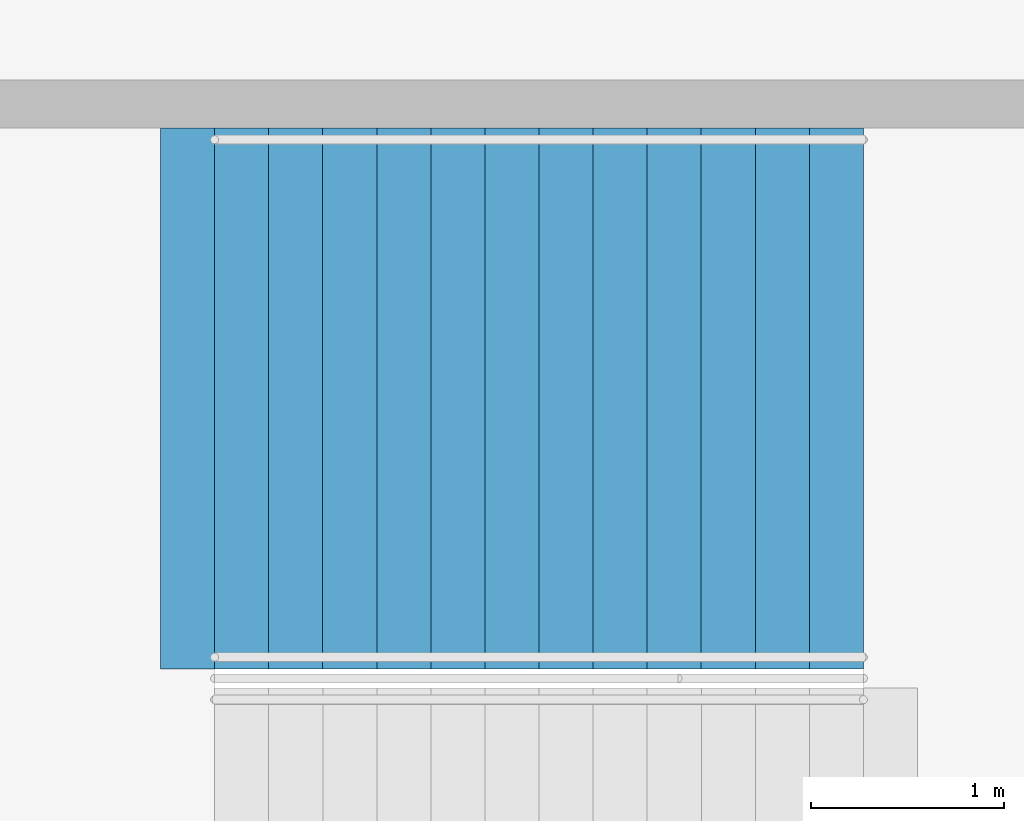
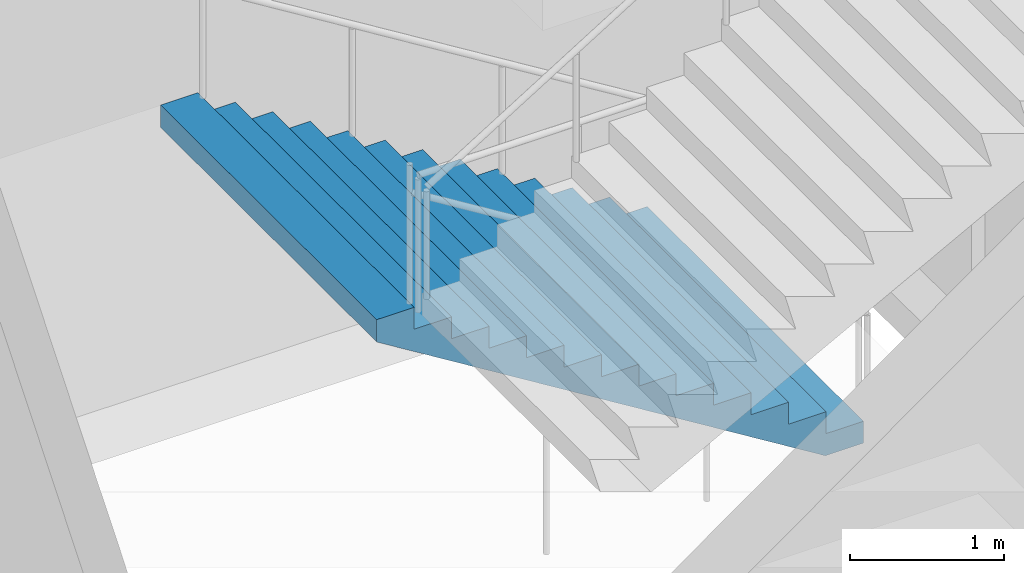
# One storey, part 133 of 199: 1 stair flight, 1 element without a shape of its own.
"""IFC4 building model written with IfcOpenShell, lengths in metres."""

from ifc_helpers import new_model, si_unit, direction, frame, origin, place, context, subcontext, project, spatial, faceted_brep, material, type_object, element, aggregate, save


model = new_model("IFC4")

# Units and contexts
model_context = context("Model", 3, precision=1e-05, world=origin(), true_north=direction((0.0, 1.0)))
body_context = subcontext(model_context, "Body", "Model", "MODEL_VIEW")
ifc_project = project(units=[si_unit("LENGTHUNIT", "METRE"), si_unit("AREAUNIT", "SQUARE_METRE"), si_unit("VOLUMEUNIT", "CUBIC_METRE"), si_unit("PLANEANGLEUNIT", "RADIAN"), si_unit("MASSUNIT", "GRAM", prefix="KILO")], contexts=[model_context])

# Site, building, storey
site_placement = place(None, origin())
site = spatial("IfcSite", under=ifc_project, at=site_placement, CompositionType="ELEMENT")
building_placement = place(site_placement, origin())
building = spatial("IfcBuilding", under=site, at=building_placement, Name="Ogive Plaza Stadium", CompositionType="ELEMENT")
storey_placement = place(building_placement, frame((0.0, 0.0, 4.5)))
storey = spatial("IfcBuildingStorey", under=building, at=storey_placement, Name="L01", CompositionType="ELEMENT", Elevation=4.5)

# Stair, stair flight
ifc_material_1 = material(Name="Concrete C40/50", Category="concrete")
stair_type = type_object("IfcStairType", Name="Exit stair", PredefinedType="STRAIGHT_RUN_STAIR", material=ifc_material_1)
stair_placement = place(storey_placement, origin())
stair = element("IfcStair", 1, at=stair_placement, inside=storey, type_object=stair_type, Name="Exit stair ST24A L01 to L02", PredefinedType="STRAIGHT_RUN_STAIR")
ifc_material_2 = material(Name="Concrete C40/50", Category="concrete")
stair_flight_type = type_object("IfcStairFlightType", Name="Exit stair flight", PredefinedType="STRAIGHT", material=ifc_material_2)
stair_flight_placement = place(storey_placement, frame((-76.35009765625, -3.074951171875, 0.0), z_axis=(0.0, 0.0, 1.0), x_axis=(-1.0, 0.0, 0.0)))
stair_flight = element("IfcStairFlight", 2, at=stair_flight_placement, type_object=stair_flight_type, Name="ST24A flight 1", NumberOfRisers=13, NumberOfTreads=12, PredefinedType="STRAIGHT", RiserHeight=0.173076923, TreadLength=0.28, context=body_context, shape_type="Brep", body=[
    faceted_brep([(0.28515625, -1.39990234375, 0.0), (3.639892578125, -1.39990234375, 2.07373046875), (3.639892578125, -1.39990234375, 2.25), (3.360107421875, -1.39990234375, 2.25), (3.360107421875, -1.39990234375, 2.076904296875), (3.080078125, -1.39990234375, 2.076904296875), (3.080078125, -1.39990234375, 1.90380859375), (2.800048828125, -1.39990234375, 1.90380859375), (2.800048828125, -1.39990234375, 1.730712890625), (2.52001953125, -1.39990234375, 1.730712890625), (2.52001953125, -1.39990234375, 1.5576171875), (2.239990234375, -1.39990234375, 1.5576171875), (2.239990234375, -1.39990234375, 1.384521484375), (1.9599609375, -1.39990234375, 1.384521484375), (1.9599609375, -1.39990234375, 1.21142578125), (1.679931640625, -1.39990234375, 1.21142578125), (1.679931640625, -1.39990234375, 1.03857421875), (1.39990234375, -1.39990234375, 1.03857421875), (1.39990234375, -1.39990234375, 0.865478515625), (1.1201171875, -1.39990234375, 0.865478515625), (1.1201171875, -1.39990234375, 0.6923828125), (0.840087890625, -1.39990234375, 0.6923828125), (0.840087890625, -1.39990234375, 0.519287109375), (0.56005859375, -1.39990234375, 0.519287109375), (0.56005859375, -1.39990234375, 0.34619140625), (0.280029296875, -1.39990234375, 0.34619140625), (0.280029296875, -1.39990234375, 0.173095703125), (0.0, -1.39990234375, 0.173095703125), (0.0, -1.39990234375, 0.0), (0.0, 1.39990234375, 0.0), (0.0, 1.39990234375, 0.173095703125), (0.280029296875, 1.39990234375, 0.173095703125), (0.280029296875, 1.39990234375, 0.34619140625), (0.56005859375, 1.39990234375, 0.34619140625), (0.56005859375, 1.39990234375, 0.519287109375), (0.840087890625, 1.39990234375, 0.519287109375), (0.840087890625, 1.39990234375, 0.6923828125), (1.1201171875, 1.39990234375, 0.6923828125), (1.1201171875, 1.39990234375, 0.865478515625), (1.39990234375, 1.39990234375, 0.865478515625), (1.39990234375, 1.39990234375, 1.03857421875), (1.679931640625, 1.39990234375, 1.03857421875), (1.679931640625, 1.39990234375, 1.21142578125), (1.9599609375, 1.39990234375, 1.21142578125), (1.9599609375, 1.39990234375, 1.384521484375), (2.239990234375, 1.39990234375, 1.384521484375), (2.239990234375, 1.39990234375, 1.5576171875), (2.52001953125, 1.39990234375, 1.5576171875), (2.52001953125, 1.39990234375, 1.730712890625), (2.800048828125, 1.39990234375, 1.730712890625), (2.800048828125, 1.39990234375, 1.90380859375), (3.080078125, 1.39990234375, 1.90380859375), (3.080078125, 1.39990234375, 2.076904296875), (3.360107421875, 1.39990234375, 2.076904296875), (3.360107421875, 1.39990234375, 2.25), (3.639892578125, 1.39990234375, 2.25), (3.639892578125, 1.39990234375, 2.07373046875), (0.28515625, 1.39990234375, 0.0), (0.28515625, -1.0888671875, 0.0), (3.639892578125, -1.0888671875, 2.07373046875), (0.28515625, -0.77783203125, 0.0), (3.639892578125, -0.77783203125, 2.07373046875), (0.28515625, -0.466796875, 0.0), (3.639892578125, -0.466796875, 2.07373046875), (0.28515625, -0.155517578125, 0.0), (3.639892578125, -0.155517578125, 2.07373046875), (0.28515625, 0.155517578125, 0.0), (3.639892578125, 0.155517578125, 2.07373046875), (0.28515625, 0.466796875, 0.0), (3.639892578125, 0.466796875, 2.07373046875), (0.28515625, 0.77783203125, 0.0), (3.639892578125, 0.77783203125, 2.07373046875), (0.28515625, 1.0888671875, 0.0), (3.639892578125, 1.0888671875, 2.07373046875), (3.639892578125, -1.0888671875, 2.25), (3.639892578125, -0.77783203125, 2.25), (3.639892578125, -0.466796875, 2.25), (3.639892578125, -0.155517578125, 2.25), (3.639892578125, 0.155517578125, 2.25), (3.639892578125, 0.466796875, 2.25), (3.639892578125, 0.77783203125, 2.25), (3.639892578125, 1.0888671875, 2.25), (3.360107421875, -1.0888671875, 2.25), (3.360107421875, -0.77783203125, 2.25), (3.360107421875, -0.466796875, 2.25), (3.360107421875, -0.155517578125, 2.25), (3.360107421875, 0.155517578125, 2.25), (3.360107421875, 0.466796875, 2.25), (3.360107421875, 0.77783203125, 2.25), (3.360107421875, 1.0888671875, 2.25), (3.360107421875, -1.0888671875, 2.076904296875), (3.360107421875, -0.77783203125, 2.076904296875), (3.360107421875, -0.466796875, 2.076904296875), (3.360107421875, -0.155517578125, 2.076904296875), (3.360107421875, 0.155517578125, 2.076904296875), (3.360107421875, 0.466796875, 2.076904296875), (3.360107421875, 0.77783203125, 2.076904296875), (3.360107421875, 1.0888671875, 2.076904296875), (3.080078125, -1.0888671875, 2.076904296875), (3.080078125, -0.77783203125, 2.076904296875), (3.080078125, -0.466796875, 2.076904296875), (3.080078125, -0.155517578125, 2.076904296875), (3.080078125, 0.155517578125, 2.076904296875), (3.080078125, 0.466796875, 2.076904296875), (3.080078125, 0.77783203125, 2.076904296875), (3.080078125, 1.0888671875, 2.076904296875), (3.080078125, -1.0888671875, 1.90380859375), (3.080078125, -0.77783203125, 1.90380859375), (3.080078125, -0.466796875, 1.90380859375), (3.080078125, -0.155517578125, 1.90380859375), (3.080078125, 0.155517578125, 1.90380859375), (3.080078125, 0.466796875, 1.90380859375), (3.080078125, 0.77783203125, 1.90380859375), (3.080078125, 1.0888671875, 1.90380859375), (2.800048828125, -1.0888671875, 1.90380859375), (2.800048828125, -0.77783203125, 1.90380859375), (2.800048828125, -0.466796875, 1.90380859375), (2.800048828125, -0.155517578125, 1.90380859375), (2.800048828125, 0.155517578125, 1.90380859375), (2.800048828125, 0.466796875, 1.90380859375), (2.800048828125, 0.77783203125, 1.90380859375), (2.800048828125, 1.0888671875, 1.90380859375), (2.800048828125, -1.0888671875, 1.730712890625), (2.800048828125, -0.77783203125, 1.730712890625), (2.800048828125, -0.466796875, 1.730712890625), (2.800048828125, -0.155517578125, 1.730712890625), (2.800048828125, 0.155517578125, 1.730712890625), (2.800048828125, 0.466796875, 1.730712890625), (2.800048828125, 0.77783203125, 1.730712890625), (2.800048828125, 1.0888671875, 1.730712890625), (2.52001953125, -1.0888671875, 1.730712890625), (2.52001953125, -0.77783203125, 1.730712890625), (2.52001953125, -0.466796875, 1.730712890625), (2.52001953125, -0.155517578125, 1.730712890625), (2.52001953125, 0.155517578125, 1.730712890625), (2.52001953125, 0.466796875, 1.730712890625), (2.52001953125, 0.77783203125, 1.730712890625), (2.52001953125, 1.0888671875, 1.730712890625), (2.52001953125, -1.0888671875, 1.5576171875), (2.52001953125, -0.77783203125, 1.5576171875), (2.52001953125, -0.466796875, 1.5576171875), (2.52001953125, -0.155517578125, 1.5576171875), (2.52001953125, 0.155517578125, 1.5576171875), (2.52001953125, 0.466796875, 1.5576171875), (2.52001953125, 0.77783203125, 1.5576171875), (2.52001953125, 1.0888671875, 1.5576171875), (2.239990234375, -1.0888671875, 1.5576171875), (2.239990234375, -0.77783203125, 1.5576171875), (2.239990234375, -0.466796875, 1.5576171875), (2.239990234375, -0.155517578125, 1.5576171875), (2.239990234375, 0.155517578125, 1.5576171875), (2.239990234375, 0.466796875, 1.5576171875), (2.239990234375, 0.77783203125, 1.5576171875), (2.239990234375, 1.0888671875, 1.5576171875), (2.239990234375, -1.0888671875, 1.384521484375), (2.239990234375, -0.77783203125, 1.384521484375), (2.239990234375, -0.466796875, 1.384521484375), (2.239990234375, -0.155517578125, 1.384521484375), (2.239990234375, 0.155517578125, 1.384521484375), (2.239990234375, 0.466796875, 1.384521484375), (2.239990234375, 0.77783203125, 1.384521484375), (2.239990234375, 1.0888671875, 1.384521484375), (1.9599609375, -1.0888671875, 1.384521484375), (1.9599609375, -0.77783203125, 1.384521484375), (1.9599609375, -0.466796875, 1.384521484375), (1.9599609375, -0.155517578125, 1.384521484375), (1.9599609375, 0.155517578125, 1.384521484375), (1.9599609375, 0.466796875, 1.384521484375), (1.9599609375, 0.77783203125, 1.384521484375), (1.9599609375, 1.0888671875, 1.384521484375), (1.9599609375, -1.0888671875, 1.21142578125), (1.9599609375, -0.77783203125, 1.21142578125), (1.9599609375, -0.466796875, 1.21142578125), (1.9599609375, -0.155517578125, 1.21142578125), (1.9599609375, 0.155517578125, 1.21142578125), (1.9599609375, 0.466796875, 1.21142578125), (1.9599609375, 0.77783203125, 1.21142578125), (1.9599609375, 1.0888671875, 1.21142578125), (1.679931640625, -1.0888671875, 1.21142578125), (1.679931640625, -0.77783203125, 1.21142578125), (1.679931640625, -0.466796875, 1.21142578125), (1.679931640625, -0.155517578125, 1.21142578125), (1.679931640625, 0.155517578125, 1.21142578125), (1.679931640625, 0.466796875, 1.21142578125), (1.679931640625, 0.77783203125, 1.21142578125), (1.679931640625, 1.0888671875, 1.21142578125), (1.679931640625, -1.0888671875, 1.03857421875), (1.679931640625, -0.77783203125, 1.03857421875), (1.679931640625, -0.466796875, 1.03857421875), (1.679931640625, -0.155517578125, 1.03857421875), (1.679931640625, 0.155517578125, 1.03857421875), (1.679931640625, 0.466796875, 1.03857421875), (1.679931640625, 0.77783203125, 1.03857421875), (1.679931640625, 1.0888671875, 1.03857421875), (1.39990234375, -1.0888671875, 1.03857421875), (1.39990234375, -0.77783203125, 1.03857421875), (1.39990234375, -0.466796875, 1.03857421875), (1.39990234375, -0.155517578125, 1.03857421875), (1.39990234375, 0.155517578125, 1.03857421875), (1.39990234375, 0.466796875, 1.03857421875), (1.39990234375, 0.77783203125, 1.03857421875), (1.39990234375, 1.0888671875, 1.03857421875), (1.39990234375, -1.0888671875, 0.865478515625), (1.39990234375, -0.77783203125, 0.865478515625), (1.39990234375, -0.466796875, 0.865478515625), (1.39990234375, -0.155517578125, 0.865478515625), (1.39990234375, 0.155517578125, 0.865478515625), (1.39990234375, 0.466796875, 0.865478515625), (1.39990234375, 0.77783203125, 0.865478515625), (1.39990234375, 1.0888671875, 0.865478515625), (1.1201171875, -1.0888671875, 0.865478515625), (1.1201171875, -0.77783203125, 0.865478515625), (1.1201171875, -0.466796875, 0.865478515625), (1.1201171875, -0.155517578125, 0.865478515625), (1.1201171875, 0.155517578125, 0.865478515625), (1.1201171875, 0.466796875, 0.865478515625), (1.1201171875, 0.77783203125, 0.865478515625), (1.1201171875, 1.0888671875, 0.865478515625), (1.1201171875, -1.0888671875, 0.6923828125), (1.1201171875, -0.77783203125, 0.6923828125), (1.1201171875, -0.466796875, 0.6923828125), (1.1201171875, -0.155517578125, 0.6923828125), (1.1201171875, 0.155517578125, 0.6923828125), (1.1201171875, 0.466796875, 0.6923828125), (1.1201171875, 0.77783203125, 0.6923828125), (1.1201171875, 1.0888671875, 0.6923828125), (0.840087890625, -1.0888671875, 0.6923828125), (0.840087890625, -0.77783203125, 0.6923828125), (0.840087890625, -0.466796875, 0.6923828125), (0.840087890625, -0.155517578125, 0.6923828125), (0.840087890625, 0.155517578125, 0.6923828125), (0.840087890625, 0.466796875, 0.6923828125), (0.840087890625, 0.77783203125, 0.6923828125), (0.840087890625, 1.0888671875, 0.6923828125), (0.840087890625, -1.0888671875, 0.519287109375), (0.840087890625, -0.77783203125, 0.519287109375), (0.840087890625, -0.466796875, 0.519287109375), (0.840087890625, -0.155517578125, 0.519287109375), (0.840087890625, 0.155517578125, 0.519287109375), (0.840087890625, 0.466796875, 0.519287109375), (0.840087890625, 0.77783203125, 0.519287109375), (0.840087890625, 1.0888671875, 0.519287109375), (0.56005859375, -1.0888671875, 0.519287109375), (0.56005859375, -0.77783203125, 0.519287109375), (0.56005859375, -0.466796875, 0.519287109375), (0.56005859375, -0.155517578125, 0.519287109375), (0.56005859375, 0.155517578125, 0.519287109375), (0.56005859375, 0.466796875, 0.519287109375), (0.56005859375, 0.77783203125, 0.519287109375), (0.56005859375, 1.0888671875, 0.519287109375), (0.56005859375, -1.0888671875, 0.34619140625), (0.56005859375, -0.77783203125, 0.34619140625), (0.56005859375, -0.466796875, 0.34619140625), (0.56005859375, -0.155517578125, 0.34619140625), (0.56005859375, 0.155517578125, 0.34619140625), (0.56005859375, 0.466796875, 0.34619140625), (0.56005859375, 0.77783203125, 0.34619140625), (0.56005859375, 1.0888671875, 0.34619140625), (0.280029296875, -1.0888671875, 0.34619140625), (0.280029296875, -0.77783203125, 0.34619140625), (0.280029296875, -0.466796875, 0.34619140625), (0.280029296875, -0.155517578125, 0.34619140625), (0.280029296875, 0.155517578125, 0.34619140625), (0.280029296875, 0.466796875, 0.34619140625), (0.280029296875, 0.77783203125, 0.34619140625), (0.280029296875, 1.0888671875, 0.34619140625), (0.280029296875, -1.0888671875, 0.173095703125), (0.280029296875, -0.77783203125, 0.173095703125), (0.280029296875, -0.466796875, 0.173095703125), (0.280029296875, -0.155517578125, 0.173095703125), (0.280029296875, 0.155517578125, 0.173095703125), (0.280029296875, 0.466796875, 0.173095703125), (0.280029296875, 0.77783203125, 0.173095703125), (0.280029296875, 1.0888671875, 0.173095703125), (0.0, -1.0888671875, 0.173095703125), (0.0, -0.77783203125, 0.173095703125), (0.0, -0.466796875, 0.173095703125), (0.0, -0.155517578125, 0.173095703125), (0.0, 0.155517578125, 0.173095703125), (0.0, 0.466796875, 0.173095703125), (0.0, 0.77783203125, 0.173095703125), (0.0, 1.0888671875, 0.173095703125), (0.0, -1.0888671875, 0.0), (0.0, -0.77783203125, 0.0), (0.0, -0.466796875, 0.0), (0.0, -0.155517578125, 0.0), (0.0, 0.155517578125, 0.0), (0.0, 0.466796875, 0.0), (0.0, 0.77783203125, 0.0), (0.0, 1.0888671875, 0.0)], [[[0, 1, 2, 3, 4, 5, 6, 7, 8, 9, 10, 11, 12, 13, 14, 15, 16, 17, 18, 19, 20, 21, 22, 23, 24, 25, 26, 27, 28]], [[29, 30, 31, 32, 33, 34, 35, 36, 37, 38, 39, 40, 41, 42, 43, 44, 45, 46, 47, 48, 49, 50, 51, 52, 53, 54, 55, 56, 57]], [[0, 58, 59, 1]], [[58, 60, 61, 59]], [[60, 62, 63, 61]], [[62, 64, 65, 63]], [[64, 66, 67, 65]], [[66, 68, 69, 67]], [[68, 70, 71, 69]], [[70, 72, 73, 71]], [[72, 57, 56, 73]], [[1, 59, 74, 2]], [[59, 61, 75, 74]], [[61, 63, 76, 75]], [[63, 65, 77, 76]], [[65, 67, 78, 77]], [[67, 69, 79, 78]], [[69, 71, 80, 79]], [[71, 73, 81, 80]], [[73, 56, 55, 81]], [[2, 74, 82, 3]], [[74, 75, 83, 82]], [[75, 76, 84, 83]], [[76, 77, 85, 84]], [[77, 78, 86, 85]], [[78, 79, 87, 86]], [[79, 80, 88, 87]], [[80, 81, 89, 88]], [[81, 55, 54, 89]], [[3, 82, 90, 4]], [[82, 83, 91, 90]], [[83, 84, 92, 91]], [[84, 85, 93, 92]], [[85, 86, 94, 93]], [[86, 87, 95, 94]], [[87, 88, 96, 95]], [[88, 89, 97, 96]], [[89, 54, 53, 97]], [[4, 90, 98, 5]], [[90, 91, 99, 98]], [[91, 92, 100, 99]], [[92, 93, 101, 100]], [[93, 94, 102, 101]], [[94, 95, 103, 102]], [[95, 96, 104, 103]], [[96, 97, 105, 104]], [[97, 53, 52, 105]], [[5, 98, 106, 6]], [[98, 99, 107, 106]], [[99, 100, 108, 107]], [[100, 101, 109, 108]], [[101, 102, 110, 109]], [[102, 103, 111, 110]], [[103, 104, 112, 111]], [[104, 105, 113, 112]], [[105, 52, 51, 113]], [[6, 106, 114, 7]], [[106, 107, 115, 114]], [[107, 108, 116, 115]], [[108, 109, 117, 116]], [[109, 110, 118, 117]], [[110, 111, 119, 118]], [[111, 112, 120, 119]], [[112, 113, 121, 120]], [[113, 51, 50, 121]], [[7, 114, 122, 8]], [[114, 115, 123, 122]], [[115, 116, 124, 123]], [[116, 117, 125, 124]], [[117, 118, 126, 125]], [[118, 119, 127, 126]], [[119, 120, 128, 127]], [[120, 121, 129, 128]], [[121, 50, 49, 129]], [[8, 122, 130, 9]], [[122, 123, 131, 130]], [[123, 124, 132, 131]], [[124, 125, 133, 132]], [[125, 126, 134, 133]], [[126, 127, 135, 134]], [[127, 128, 136, 135]], [[128, 129, 137, 136]], [[129, 49, 48, 137]], [[9, 130, 138, 10]], [[130, 131, 139, 138]], [[131, 132, 140, 139]], [[132, 133, 141, 140]], [[133, 134, 142, 141]], [[134, 135, 143, 142]], [[135, 136, 144, 143]], [[136, 137, 145, 144]], [[137, 48, 47, 145]], [[10, 138, 146, 11]], [[138, 139, 147, 146]], [[139, 140, 148, 147]], [[140, 141, 149, 148]], [[141, 142, 150, 149]], [[142, 143, 151, 150]], [[143, 144, 152, 151]], [[144, 145, 153, 152]], [[145, 47, 46, 153]], [[11, 146, 154, 12]], [[146, 147, 155, 154]], [[147, 148, 156, 155]], [[148, 149, 157, 156]], [[149, 150, 158, 157]], [[150, 151, 159, 158]], [[151, 152, 160, 159]], [[152, 153, 161, 160]], [[153, 46, 45, 161]], [[12, 154, 162, 13]], [[154, 155, 163, 162]], [[155, 156, 164, 163]], [[156, 157, 165, 164]], [[157, 158, 166, 165]], [[158, 159, 167, 166]], [[159, 160, 168, 167]], [[160, 161, 169, 168]], [[161, 45, 44, 169]], [[13, 162, 170, 14]], [[162, 163, 171, 170]], [[163, 164, 172, 171]], [[164, 165, 173, 172]], [[165, 166, 174, 173]], [[166, 167, 175, 174]], [[167, 168, 176, 175]], [[168, 169, 177, 176]], [[169, 44, 43, 177]], [[14, 170, 178, 15]], [[170, 171, 179, 178]], [[171, 172, 180, 179]], [[172, 173, 181, 180]], [[173, 174, 182, 181]], [[174, 175, 183, 182]], [[175, 176, 184, 183]], [[176, 177, 185, 184]], [[177, 43, 42, 185]], [[15, 178, 186, 16]], [[178, 179, 187, 186]], [[179, 180, 188, 187]], [[180, 181, 189, 188]], [[181, 182, 190, 189]], [[182, 183, 191, 190]], [[183, 184, 192, 191]], [[184, 185, 193, 192]], [[185, 42, 41, 193]], [[16, 186, 194, 17]], [[186, 187, 195, 194]], [[187, 188, 196, 195]], [[188, 189, 197, 196]], [[189, 190, 198, 197]], [[190, 191, 199, 198]], [[191, 192, 200, 199]], [[192, 193, 201, 200]], [[193, 41, 40, 201]], [[17, 194, 202, 18]], [[194, 195, 203, 202]], [[195, 196, 204, 203]], [[196, 197, 205, 204]], [[197, 198, 206, 205]], [[198, 199, 207, 206]], [[199, 200, 208, 207]], [[200, 201, 209, 208]], [[201, 40, 39, 209]], [[18, 202, 210, 19]], [[202, 203, 211, 210]], [[203, 204, 212, 211]], [[204, 205, 213, 212]], [[205, 206, 214, 213]], [[206, 207, 215, 214]], [[207, 208, 216, 215]], [[208, 209, 217, 216]], [[209, 39, 38, 217]], [[19, 210, 218, 20]], [[210, 211, 219, 218]], [[211, 212, 220, 219]], [[212, 213, 221, 220]], [[213, 214, 222, 221]], [[214, 215, 223, 222]], [[215, 216, 224, 223]], [[216, 217, 225, 224]], [[217, 38, 37, 225]], [[20, 218, 226, 21]], [[218, 219, 227, 226]], [[219, 220, 228, 227]], [[220, 221, 229, 228]], [[221, 222, 230, 229]], [[222, 223, 231, 230]], [[223, 224, 232, 231]], [[224, 225, 233, 232]], [[225, 37, 36, 233]], [[21, 226, 234, 22]], [[226, 227, 235, 234]], [[227, 228, 236, 235]], [[228, 229, 237, 236]], [[229, 230, 238, 237]], [[230, 231, 239, 238]], [[231, 232, 240, 239]], [[232, 233, 241, 240]], [[233, 36, 35, 241]], [[22, 234, 242, 23]], [[234, 235, 243, 242]], [[235, 236, 244, 243]], [[236, 237, 245, 244]], [[237, 238, 246, 245]], [[238, 239, 247, 246]], [[239, 240, 248, 247]], [[240, 241, 249, 248]], [[241, 35, 34, 249]], [[23, 242, 250, 24]], [[242, 243, 251, 250]], [[243, 244, 252, 251]], [[244, 245, 253, 252]], [[245, 246, 254, 253]], [[246, 247, 255, 254]], [[247, 248, 256, 255]], [[248, 249, 257, 256]], [[249, 34, 33, 257]], [[24, 250, 258, 25]], [[250, 251, 259, 258]], [[251, 252, 260, 259]], [[252, 253, 261, 260]], [[253, 254, 262, 261]], [[254, 255, 263, 262]], [[255, 256, 264, 263]], [[256, 257, 265, 264]], [[257, 33, 32, 265]], [[25, 258, 266, 26]], [[258, 259, 267, 266]], [[259, 260, 268, 267]], [[260, 261, 269, 268]], [[261, 262, 270, 269]], [[262, 263, 271, 270]], [[263, 264, 272, 271]], [[264, 265, 273, 272]], [[265, 32, 31, 273]], [[26, 266, 274, 27]], [[266, 267, 275, 274]], [[267, 268, 276, 275]], [[268, 269, 277, 276]], [[269, 270, 278, 277]], [[270, 271, 279, 278]], [[271, 272, 280, 279]], [[272, 273, 281, 280]], [[273, 31, 30, 281]], [[27, 274, 282, 28]], [[274, 275, 283, 282]], [[275, 276, 284, 283]], [[276, 277, 285, 284]], [[277, 278, 286, 285]], [[278, 279, 287, 286]], [[279, 280, 288, 287]], [[280, 281, 289, 288]], [[281, 30, 29, 289]], [[28, 282, 58, 0]], [[282, 283, 60, 58]], [[283, 284, 62, 60]], [[284, 285, 64, 62]], [[285, 286, 66, 64]], [[286, 287, 68, 66]], [[287, 288, 70, 68]], [[288, 289, 72, 70]], [[289, 29, 57, 72]]]),
])
aggregate(stair, [stair_flight])

save(model, "model.ifc")
